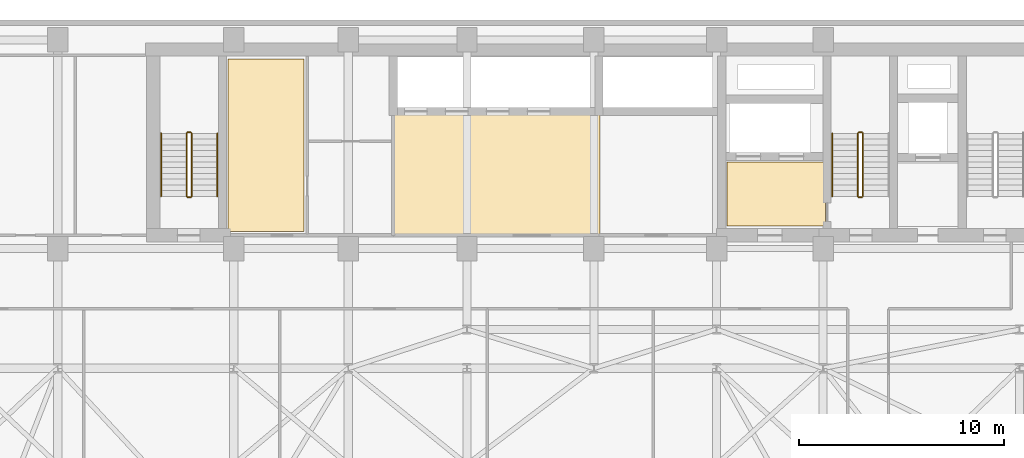
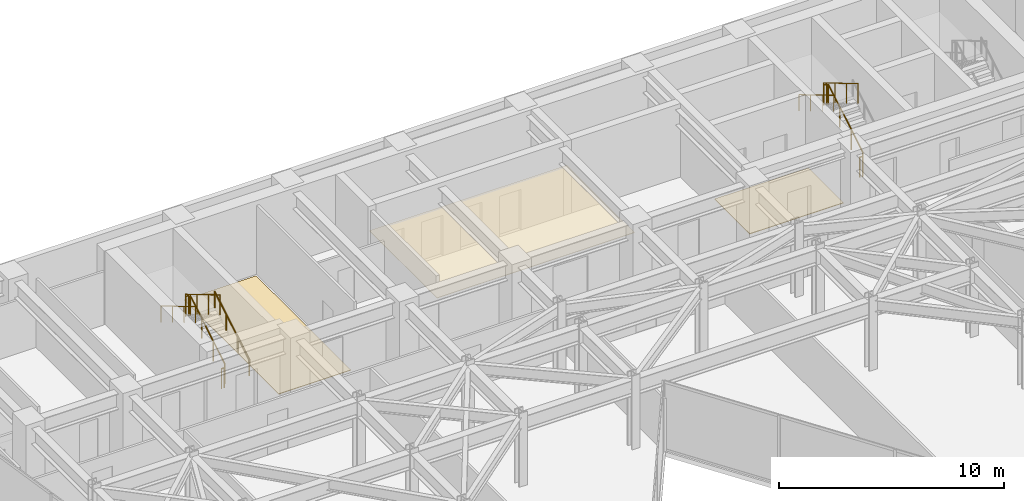
# One storey, part 25 of 26: 11 railings, 3 coverings.
"""IFC4 building model written with IfcOpenShell, lengths in metres."""

from ifc_helpers import new_model, si_unit, direction, frame, origin, origin_2d, place, context, subcontext, project, spatial, polyline, circle, outline, extrude, material, layer, layer_set, type_object, element, save


model = new_model("IFC4")

# Units and contexts
model_context = context("Model", 3, precision=1e-05, world=origin(), true_north=direction((0.0, 1.0)))
body_context = subcontext(model_context, "Body", "Model", "MODEL_VIEW")
ifc_project = project(units=[si_unit("LENGTHUNIT", "METRE"), si_unit("AREAUNIT", "SQUARE_METRE"), si_unit("VOLUMEUNIT", "CUBIC_METRE"), si_unit("PLANEANGLEUNIT", "RADIAN"), si_unit("MASSUNIT", "GRAM", prefix="KILO")], contexts=[model_context])

# Site, building, storey
site_placement = place(None, origin())
site = spatial("IfcSite", under=ifc_project, at=site_placement, CompositionType="ELEMENT")
building_placement = place(site_placement, origin())
building = spatial("IfcBuilding", under=site, at=building_placement, Name="Kravanh Interchange Tower", CompositionType="ELEMENT")
storey_placement = place(building_placement, frame((0.0, 0.0, 128.0)))
storey = spatial("IfcBuildingStorey", under=building, at=storey_placement, Name="L30", CompositionType="ELEMENT", Elevation=128.0)

# Coverings
ifc_material_1 = material(Name="Cementitious Terrazzo Tile")
ifc_layer_1 = layer(ifc_material_1, 0.030029296875)
ifc_layer_set_1 = layer_set([ifc_layer_1], Name="Honed Terrazzo Lobby Flooring 30mm")
covering_type_1 = type_object("IfcCoveringType", Name="Honed Terrazzo Lobby Flooring 30mm", PredefinedType="FLOORING", material=ifc_layer_set_1)
covering_1_placement = place(storey_placement, origin())
element("IfcCovering", 1, at=covering_1_placement, inside=storey, type_object=covering_type_1, Name="L30 Firefighting Lobby Floor Finish", PredefinedType="FLOORING", context=body_context, shape_type="SweptSolid", body=[
    extrude(outline(polyline([(56.1201171875, 38.4599609375), (51.300048828125, 38.4599609375), (51.300048828125, 41.580078125), (56.1201171875, 41.580078125), (56.1201171875, 38.4599609375)])), origin(), (0.0, 0.0, 1.0), 0.030029296875),
])
covering_2_placement = place(storey_placement, origin())
element("IfcCovering", 2, at=covering_2_placement, inside=storey, type_object=covering_type_1, Name="L30 Staff Break and Coffee Room Floor Finish", PredefinedType="FLOORING", context=body_context, shape_type="SweptSolid", body=[
    extrude(outline(polyline([(26.929931640625, 46.6201171875), (30.639892578125, 46.6201171875), (30.639892578125, 38.179931640625), (26.929931640625, 38.179931640625), (26.929931640625, 46.6201171875)])), origin(), (0.0, 0.0, 1.0), 0.030029296875),
])
ifc_material_2 = material(Name="Acoustic Mineral Fibre Tile on Aluminium Grid", Category="aluminium")
ifc_layer_2 = layer(ifc_material_2, 0.02490234375)
ifc_layer_set_2 = layer_set([ifc_layer_2], Name="Perforated Acoustic Mineral Ceiling 25mm")
covering_type_2 = type_object("IfcCoveringType", Name="Perforated Acoustic Mineral Ceiling 25mm", PredefinedType="CEILING", material=ifc_layer_set_2)
covering_3_placement = place(storey_placement, frame((0.0, 0.0, 2.550048828125)))
element("IfcCovering", 3, at=covering_3_placement, inside=storey, type_object=covering_type_2, Name="L30 Mid-Rise Lift Lobby Suspended Ceiling", PredefinedType="CEILING", context=body_context, shape_type="SweptSolid", body=[
    extrude(outline(polyline([(45.090087890625, 37.9599609375), (34.93994140625, 37.9599609375), (34.93994140625, 43.989990234375), (45.090087890625, 43.989990234375), (45.090087890625, 37.9599609375)])), origin(), (0.0, 0.0, 1.0), 0.02490234375),
])

# Railings
ifc_material_3 = material(Name="Structural Steel S355", Category="steel")
ifc_layer_3 = layer(ifc_material_3, 0.050048828125)
ifc_layer_set_3 = layer_set([ifc_layer_3], Name="Stair Well Guardrail Structural Steel S355 1100mm")
railing_type_1 = type_object("IfcRailingType", Name="Stair Well Guardrail Structural Steel S355 1100mm", PredefinedType="GUARDRAIL", material=ifc_layer_set_3)
railing_1_placement = place(storey_placement, frame((57.949951171875, 39.89990234375, 0.166748046875)))
element("IfcRailing", 4, at=railing_1_placement, inside=storey, type_object=railing_type_1, Name="L30 ST2 stair guard 1", PredefinedType="GUARDRAIL", context=body_context, shape_type="SweptSolid", body=[
    extrude(circle(Radius=0.02392578125, at=origin_2d()), frame((0.0, 0.0, 1.076171875), z_axis=(0.0, 0.859308565015, 0.511457515432), x_axis=(-1.0, 0.0, 0.0)), (0.0, 0.0, 1.0), 3.58447265625),
    extrude(circle(Radius=0.02099609375, at=origin_2d()), origin(), (0.0, 0.0, 1.0), 1.052001953125),
    extrude(circle(Radius=0.02099609375, at=origin_2d()), frame((0.0, 1.026611328125, 0.611083984375)), (0.0, 0.0, 1.0), 1.052001953125),
    extrude(circle(Radius=0.02099609375, at=origin_2d()), frame((0.0, 2.053466796875, 1.22216796875)), (0.0, 0.0, 1.0), 1.052001953125),
    extrude(circle(Radius=0.02099609375, at=origin_2d()), frame((0.0, 3.080078125, 1.833251953125)), (0.0, 0.0, 1.0), 1.052001953125),
])
railing_2_placement = place(storey_placement, frame((57.89990234375, 43.030029296875, 2.0)))
element("IfcRailing", 5, at=railing_2_placement, inside=storey, type_object=railing_type_1, Name="L30 ST2 stair guard 2", PredefinedType="GUARDRAIL", context=body_context, shape_type="SweptSolid", body=[
    extrude(circle(Radius=0.02392578125, at=origin_2d()), frame((0.0, 0.0, 1.076171875), z_axis=(-1.0, 0.0, 0.0), x_axis=(0.0, -1.0, 0.0)), (0.0, 0.0, 1.0), 0.14990234375),
    extrude(circle(Radius=0.02099609375, at=origin_2d()), origin(), (0.0, 0.0, 1.0), 1.052001953125),
    extrude(circle(Radius=0.02099609375, at=origin_2d()), frame((-0.14990234375, 0.0, 0.0)), (0.0, 0.0, 1.0), 1.052001953125),
])
railing_3_placement = place(storey_placement, frame((57.699951171875, 42.97998046875, 2.166748046875)))
element("IfcRailing", 6, at=railing_3_placement, inside=storey, type_object=railing_type_1, Name="L30 ST2 stair guard 3", PredefinedType="GUARDRAIL", context=body_context, shape_type="SweptSolid", body=[
    extrude(circle(Radius=0.02392578125, at=origin_2d()), frame((0.0, 0.0, 1.076171875), z_axis=(0.0, -0.859308565015, 0.511457515432), x_axis=(1.0, 0.0, 0.0)), (0.0, 0.0, 1.0), 3.58447265625),
    extrude(circle(Radius=0.02099609375, at=origin_2d()), origin(), (0.0, 0.0, 1.0), 1.052001953125),
    extrude(circle(Radius=0.02099609375, at=origin_2d()), frame((0.0, -1.026611328125, 0.611083984375)), (0.0, 0.0, 1.0), 1.052001953125),
    extrude(circle(Radius=0.02099609375, at=origin_2d()), frame((0.0, -2.053466796875, 1.22216796875)), (0.0, 0.0, 1.0), 1.052001953125),
    extrude(circle(Radius=0.02099609375, at=origin_2d()), frame((0.0, -3.080078125, 1.833251953125)), (0.0, 0.0, 1.0), 1.052001953125),
])
railing_4_placement = place(storey_placement, frame((57.89990234375, 39.85009765625, 0.0)))
element("IfcRailing", 7, at=railing_4_placement, inside=storey, type_object=railing_type_1, Name="L30 ST2 stair guard 4", PredefinedType="GUARDRAIL", context=body_context, shape_type="SweptSolid", body=[
    extrude(circle(Radius=0.02392578125, at=origin_2d()), frame((0.0, 0.0, 1.076171875), z_axis=(-1.0, 0.0, 0.0), x_axis=(0.0, -1.0, 0.0)), (0.0, 0.0, 1.0), 0.14990234375),
    extrude(circle(Radius=0.02099609375, at=origin_2d()), origin(), (0.0, 0.0, 1.0), 1.052001953125),
    extrude(circle(Radius=0.02099609375, at=origin_2d()), frame((-0.14990234375, 0.0, 0.0)), (0.0, 0.0, 1.0), 1.052001953125),
])
railing_5_placement = place(storey_placement, frame((25.14990234375, 39.89990234375, 0.166748046875)))
element("IfcRailing", 8, at=railing_5_placement, inside=storey, type_object=railing_type_1, Name="L30 ST3 stair guard 1", PredefinedType="GUARDRAIL", context=body_context, shape_type="SweptSolid", body=[
    extrude(circle(Radius=0.02392578125, at=origin_2d()), frame((0.0, 0.0, 1.076171875), z_axis=(0.0, 0.859308565015, 0.511457515432), x_axis=(-1.0, 0.0, 0.0)), (0.0, 0.0, 1.0), 3.58447265625),
    extrude(circle(Radius=0.02099609375, at=origin_2d()), origin(), (0.0, 0.0, 1.0), 1.052001953125),
    extrude(circle(Radius=0.02099609375, at=origin_2d()), frame((0.0, 1.026611328125, 0.611083984375)), (0.0, 0.0, 1.0), 1.052001953125),
    extrude(circle(Radius=0.02099609375, at=origin_2d()), frame((0.0, 2.053466796875, 1.22216796875)), (0.0, 0.0, 1.0), 1.052001953125),
    extrude(circle(Radius=0.02099609375, at=origin_2d()), frame((0.0, 3.080078125, 1.833251953125)), (0.0, 0.0, 1.0), 1.052001953125),
])
railing_6_placement = place(storey_placement, frame((25.10009765625, 43.030029296875, 2.0)))
element("IfcRailing", 9, at=railing_6_placement, inside=storey, type_object=railing_type_1, Name="L30 ST3 stair guard 2", PredefinedType="GUARDRAIL", context=body_context, shape_type="SweptSolid", body=[
    extrude(circle(Radius=0.02392578125, at=origin_2d()), frame((0.0, 0.0, 1.076171875), z_axis=(-1.0, 0.0, 0.0), x_axis=(0.0, -1.0, 0.0)), (0.0, 0.0, 1.0), 0.150146484375),
    extrude(circle(Radius=0.02099609375, at=origin_2d()), origin(), (0.0, 0.0, 1.0), 1.052001953125),
    extrude(circle(Radius=0.02099609375, at=origin_2d()), frame((-0.150146484375, 0.0, 0.0)), (0.0, 0.0, 1.0), 1.052001953125),
])
railing_7_placement = place(storey_placement, frame((24.89990234375, 42.97998046875, 2.166748046875)))
element("IfcRailing", 10, at=railing_7_placement, inside=storey, type_object=railing_type_1, Name="L30 ST3 stair guard 3", PredefinedType="GUARDRAIL", context=body_context, shape_type="SweptSolid", body=[
    extrude(circle(Radius=0.02392578125, at=origin_2d()), frame((0.0, 0.0, 1.076171875), z_axis=(0.0, -0.859308565015, 0.511457515432), x_axis=(1.0, 0.0, 0.0)), (0.0, 0.0, 1.0), 3.58447265625),
    extrude(circle(Radius=0.02099609375, at=origin_2d()), origin(), (0.0, 0.0, 1.0), 1.052001953125),
    extrude(circle(Radius=0.02099609375, at=origin_2d()), frame((0.0, -1.026611328125, 0.611083984375)), (0.0, 0.0, 1.0), 1.052001953125),
    extrude(circle(Radius=0.02099609375, at=origin_2d()), frame((0.0, -2.053466796875, 1.22216796875)), (0.0, 0.0, 1.0), 1.052001953125),
    extrude(circle(Radius=0.02099609375, at=origin_2d()), frame((0.0, -3.080078125, 1.833251953125)), (0.0, 0.0, 1.0), 1.052001953125),
])
railing_8_placement = place(storey_placement, frame((25.10009765625, 39.85009765625, 0.0)))
element("IfcRailing", 11, at=railing_8_placement, inside=storey, type_object=railing_type_1, Name="L30 ST3 stair guard 4", PredefinedType="GUARDRAIL", context=body_context, shape_type="SweptSolid", body=[
    extrude(circle(Radius=0.02392578125, at=origin_2d()), frame((0.0, 0.0, 1.076171875), z_axis=(-1.0, 0.0, 0.0), x_axis=(0.0, -1.0, 0.0)), (0.0, 0.0, 1.0), 0.150146484375),
    extrude(circle(Radius=0.02099609375, at=origin_2d()), origin(), (0.0, 0.0, 1.0), 1.052001953125),
    extrude(circle(Radius=0.02099609375, at=origin_2d()), frame((-0.150146484375, 0.0, 0.0)), (0.0, 0.0, 1.0), 1.052001953125),
])
ifc_material_4 = material(Name="Stainless Steel 304", Category="steel")
ifc_layer_4 = layer(ifc_material_4, 0.044921875)
ifc_layer_set_4 = layer_set([ifc_layer_4], Name="Tubular Stair Handrail Stainless 304 900mm")
railing_type_2 = type_object("IfcRailingType", Name="Tubular Stair Handrail Stainless 304 900mm", PredefinedType="HANDRAIL", material=ifc_layer_set_4)
railing_9_placement = place(storey_placement, frame((56.449951171875, 42.97998046875, 2.166748046875)))
element("IfcRailing", 12, at=railing_9_placement, inside=storey, type_object=railing_type_2, Name="L30 ST2 stair handrail 2", PredefinedType="HANDRAIL", context=body_context, shape_type="SweptSolid", body=[
    extrude(circle(Radius=0.02392578125, at=origin_2d()), frame((0.0, 0.0, 0.8759765625), z_axis=(0.0, -0.859308565015, 0.511457515432), x_axis=(1.0, 0.0, 0.0)), (0.0, 0.0, 1.0), 3.58447265625),
    extrude(circle(Radius=0.02099609375, at=origin_2d()), origin(), (0.0, 0.0, 1.0), 0.851806640625),
    extrude(circle(Radius=0.02099609375, at=origin_2d()), frame((0.0, -1.026611328125, 0.611083984375)), (0.0, 0.0, 1.0), 0.851806640625),
    extrude(circle(Radius=0.02099609375, at=origin_2d()), frame((0.0, -2.053466796875, 1.22216796875)), (0.0, 0.0, 1.0), 0.851806640625),
    extrude(circle(Radius=0.02099609375, at=origin_2d()), frame((0.0, -3.080078125, 1.833251953125)), (0.0, 0.0, 1.0), 0.851806640625),
])
railing_10_placement = place(storey_placement, frame((26.39990234375, 39.89990234375, 0.166748046875)))
element("IfcRailing", 13, at=railing_10_placement, inside=storey, type_object=railing_type_2, Name="L30 ST3 stair handrail 1", PredefinedType="HANDRAIL", context=body_context, shape_type="SweptSolid", body=[
    extrude(circle(Radius=0.02392578125, at=origin_2d()), frame((0.0, 0.0, 0.8759765625), z_axis=(0.0, 0.859308565015, 0.511457515432), x_axis=(-1.0, 0.0, 0.0)), (0.0, 0.0, 1.0), 3.58447265625),
    extrude(circle(Radius=0.02099609375, at=origin_2d()), origin(), (0.0, 0.0, 1.0), 0.851806640625),
    extrude(circle(Radius=0.02099609375, at=origin_2d()), frame((0.0, 1.026611328125, 0.611083984375)), (0.0, 0.0, 1.0), 0.851806640625),
    extrude(circle(Radius=0.02099609375, at=origin_2d()), frame((0.0, 2.053466796875, 1.22216796875)), (0.0, 0.0, 1.0), 0.851806640625),
    extrude(circle(Radius=0.02099609375, at=origin_2d()), frame((0.0, 3.080078125, 1.833251953125)), (0.0, 0.0, 1.0), 0.851806640625),
])
railing_11_placement = place(storey_placement, frame((23.64990234375, 42.97998046875, 2.166748046875)))
element("IfcRailing", 14, at=railing_11_placement, inside=storey, type_object=railing_type_2, Name="L30 ST3 stair handrail 2", PredefinedType="HANDRAIL", context=body_context, shape_type="SweptSolid", body=[
    extrude(circle(Radius=0.02392578125, at=origin_2d()), frame((0.0, 0.0, 0.8759765625), z_axis=(0.0, -0.859308565015, 0.511457515432), x_axis=(1.0, 0.0, 0.0)), (0.0, 0.0, 1.0), 3.58447265625),
    extrude(circle(Radius=0.02099609375, at=origin_2d()), origin(), (0.0, 0.0, 1.0), 0.851806640625),
    extrude(circle(Radius=0.02099609375, at=origin_2d()), frame((0.0, -1.026611328125, 0.611083984375)), (0.0, 0.0, 1.0), 0.851806640625),
    extrude(circle(Radius=0.02099609375, at=origin_2d()), frame((0.0, -2.053466796875, 1.22216796875)), (0.0, 0.0, 1.0), 0.851806640625),
    extrude(circle(Radius=0.02099609375, at=origin_2d()), frame((0.0, -3.080078125, 1.833251953125)), (0.0, 0.0, 1.0), 0.851806640625),
])

save(model, "model.ifc")
